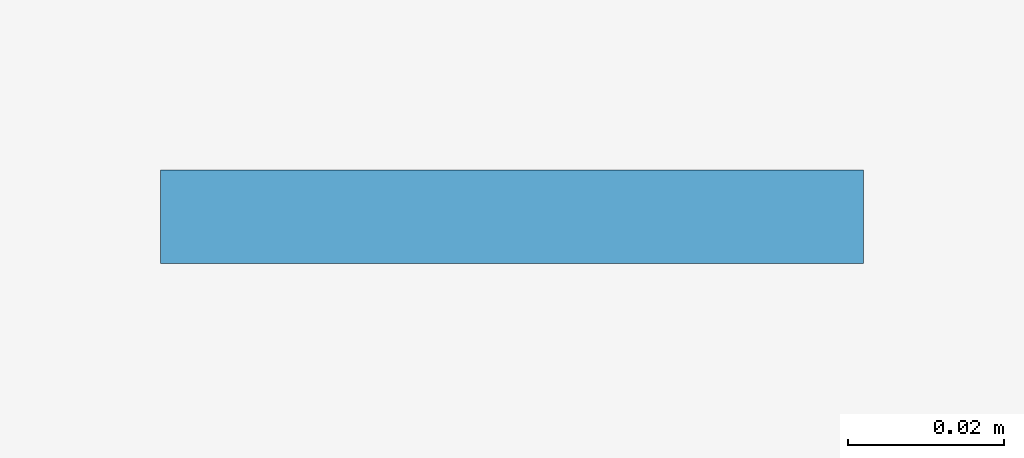
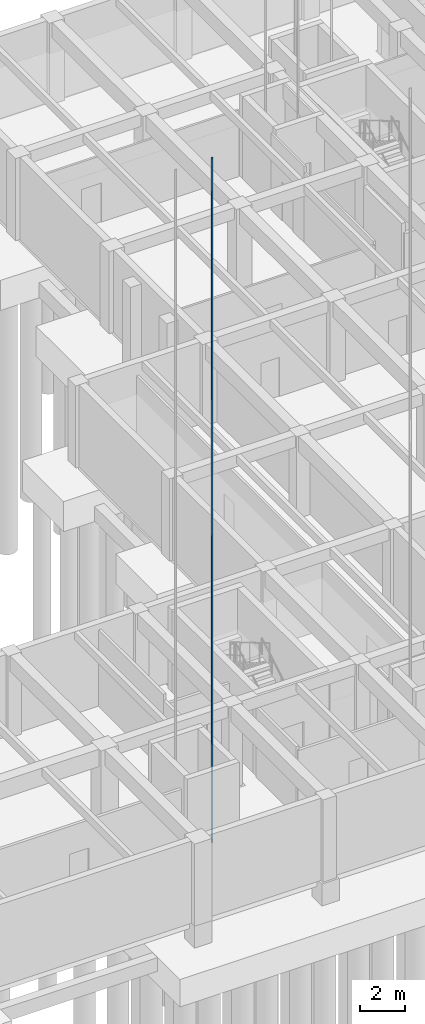
# One storey, part 16 of 44: 1 plate.
"""IFC4 building model written with IfcOpenShell, lengths in metres."""

import ifcopenshell
import ifcopenshell.guid

model = None  # the IFC model being written
_history = None  # IfcOwnerHistory: only IFC2X3 demands one
_inside = {}  # id of a spatial element -> (the spatial element, [elements in it])
_under = {}  # id of a project, library or spatial element -> (it, [spatial elements below it])
_declared = {}  # id of a project -> (the project, [libraries it declares])
_typed = {}  # id of a type object -> (the type object, [elements of that type])
_made_of = {}  # id of a material, layer set ... -> (it, [elements and type objects made of it])


def new_model(schema):
    """Start an empty IFC model of exactly this schema.

    Asked for "IFC4X3", IfcOpenShell would pick the latest addendum, in which some entities
    have other attributes; the version numbers below select the first issue.
    IFC2X3 requires an IfcOwnerHistory on every rooted entity: one is made here for all.
    """
    global model, _history
    if schema == "IFC4X3":
        model = ifcopenshell.file(schema_version=(4, 3, 0, 0))
    else:
        model = ifcopenshell.file(schema=schema)
    _inside.clear()
    _under.clear()
    _declared.clear()
    _typed.clear()
    _made_of.clear()
    _history = None
    if model.schema == "IFC2X3":
        org = make("IfcOrganization", Name="unknown")
        user = make(
            "IfcPersonAndOrganization",
            ThePerson=make("IfcPerson", FamilyName="unknown"),
            TheOrganization=org,
        )
        app = make(
            "IfcApplication",
            ApplicationDeveloper=org,
            Version="unknown",
            ApplicationFullName="unknown",
            ApplicationIdentifier="unknown",
        )
        _history = make(
            "IfcOwnerHistory",
            OwningUser=user,
            OwningApplication=app,
            ChangeAction="ADDED",
            CreationDate=0,
        )
    return model


def make(cls, **values):
    """One entity of the class cls with the attributes given. An attribute that is None is left unset."""
    return model.create_entity(
        cls, **{name: value for name, value in values.items() if value is not None}
    )


def rooted(cls, **values):
    """An entity with a GlobalId (a new one), such as an element, a storey or a relation."""
    return make(cls, GlobalId=ifcopenshell.guid.new(), OwnerHistory=_history, **values)


def si_unit(unit_type, name, prefix=None):
    """IfcSIUnit, for example si_unit("LENGTHUNIT", "METRE", prefix="MILLI")."""
    return make("IfcSIUnit", UnitType=unit_type, Prefix=prefix, Name=name)


def assignment(units):
    """IfcUnitAssignment: the units of a project."""
    return None if units is None else make("IfcUnitAssignment", Units=units)


def point(xyz):
    """IfcCartesianPoint."""
    return None if xyz is None else make("IfcCartesianPoint", Coordinates=xyz)


def direction(xyz):
    """IfcDirection."""
    return None if xyz is None else make("IfcDirection", DirectionRatios=xyz)


def frame(location, z_axis=None, x_axis=None):
    """IfcAxis2Placement3D, a coordinate frame: its origin and axes. An axis left out is left unset."""
    return make(
        "IfcAxis2Placement3D",
        Location=point(location),
        Axis=direction(z_axis),
        RefDirection=direction(x_axis),
    )


def frame_2d(location, x_axis=None):
    """IfcAxis2Placement2D, a coordinate frame in the plane: its origin and x axis."""
    return make(
        "IfcAxis2Placement2D", Location=point(location), RefDirection=direction(x_axis)
    )


def origin():
    """The frame at (0, 0, 0) with its axes left unset."""
    return frame((0.0, 0.0, 0.0))


def origin_2d():
    """The frame at (0, 0) in the plane with its x axis left unset."""
    return frame_2d((0.0, 0.0))


def place(relative_to, where):
    """IfcLocalPlacement: puts the frame where relative to a parent placement (None: the world)."""
    return make(
        "IfcLocalPlacement", PlacementRelTo=relative_to, RelativePlacement=where
    )


def context(
    kind, dimensions, precision=None, world=None, true_north=None, identifier=None
):
    """IfcGeometricRepresentationContext, for example the 3D "Model" context."""
    return make(
        "IfcGeometricRepresentationContext",
        ContextIdentifier=identifier,
        ContextType=kind,
        CoordinateSpaceDimension=dimensions,
        Precision=precision,
        WorldCoordinateSystem=world,
        TrueNorth=true_north,
    )


def subcontext(parent, identifier, kind, view, scale=None):
    """IfcGeometricRepresentationSubContext, for example "Body" below "Model"."""
    return make(
        "IfcGeometricRepresentationSubContext",
        ContextIdentifier=identifier,
        ContextType=kind,
        ParentContext=parent,
        TargetScale=scale,
        TargetView=view,
    )


def project(units=None, contexts=None):
    """IfcProject with its units and contexts."""
    return rooted(
        "IfcProject",
        Name="project",
        RepresentationContexts=contexts,
        UnitsInContext=assignment(units),
    )


def spatial(cls, under=None, at=None, **own):
    """A site, building, storey or space (cls), placed at a placement, below another one or the project."""
    s = rooted(cls, ObjectPlacement=at, **own)
    if under is not None:
        _under.setdefault(under.id(), (under, []))[1].append(s)
    return s


def profile(cls, at=None, kind="AREA", **sizes):
    """A parametric profile (cls). Its sizes go by their IFC names, for example OverallWidth=200.0."""
    return make(cls, ProfileType=kind, Position=at, **sizes)


def rectangle(**sizes):
    """IfcRectangleProfileDef."""
    return profile("IfcRectangleProfileDef", **sizes)


def extrude(swept, where, along, depth):
    """IfcExtrudedAreaSolid: the profile swept, set in the frame where, extruded along a direction by depth."""
    return make(
        "IfcExtrudedAreaSolid",
        SweptArea=swept,
        Position=where,
        ExtrudedDirection=direction(along),
        Depth=depth,
    )


def shape(context_of_items, identifier, shape_type, items):
    """IfcShapeRepresentation: the items that make up one representation, for example the "Body"."""
    return make(
        "IfcShapeRepresentation",
        ContextOfItems=context_of_items,
        RepresentationIdentifier=identifier,
        RepresentationType=shape_type,
        Items=items,
    )


def material(Name=None, Category=None):
    """IfcMaterial."""
    return make("IfcMaterial", Name=Name, Category=Category)


def layer(
    of_material, thickness, ventilated=None, Name=None, Category=None, Priority=None
):
    """IfcMaterialLayer: one layer of a wall or slab, of a material (None: an air gap)."""
    return make(
        "IfcMaterialLayer",
        Material=of_material,
        LayerThickness=thickness,
        IsVentilated=ventilated,
        Name=Name,
        Category=Category,
        Priority=Priority,
    )


def layer_set(layers, Name=None):
    """IfcMaterialLayerSet."""
    return make("IfcMaterialLayerSet", MaterialLayers=layers, LayerSetName=Name)


def made_of(thing, what):
    """Note that an element or type object is made of a material, layer set ...; save() writes the relation."""
    if what is not None:
        _made_of.setdefault(what.id(), (what, []))[1].append(thing)
    return thing


def type_object(cls, material=None, **own):
    """A type object (cls), such as IfcWallType, which elements share."""
    return made_of(rooted(cls, **own), material)


def element(
    cls,
    number,
    at=None,
    inside=None,
    cuts=None,
    type_object=None,
    material=None,
    context=None,
    identifier="Body",
    shape_type=None,
    held_by="IfcProductDefinitionShape",
    body=None,
    shapes=None,
    **own,
):
    """One element of the class cls, such as IfcWall. Its Tag is "e" and its number.

    at: its placement. inside: the storey or other place that contains it. cuts: it is an
    opening in that element (IfcRelVoidsElement). A single representation is given by context,
    identifier, shape_type and body (its items); several are given by shapes. held_by: the class
    of the entity that holds the representations. save() writes the other relations.
    """
    e = rooted(cls, Tag="e%d" % number, ObjectPlacement=at, **own)
    if body is not None:
        shapes = [shape(context, identifier, shape_type, body)]
    if shapes is not None:
        e.Representation = make(held_by, Representations=shapes)
    if inside is not None:
        _inside.setdefault(inside.id(), (inside, []))[1].append(e)
    if cuts is not None:
        rooted(
            "IfcRelVoidsElement", RelatingBuildingElement=cuts, RelatedOpeningElement=e
        )
    if type_object is not None:
        _typed.setdefault(type_object.id(), (type_object, []))[1].append(e)
    return made_of(e, material)


def aggregate(whole, parts):
    """IfcRelAggregates: a whole, such as a stair, and the parts it consists of."""
    return rooted("IfcRelAggregates", RelatingObject=whole, RelatedObjects=parts)


def save(model, path):
    """Write the relations noted so far, then the file.

    IfcRelAggregates (storeys below a building ...), IfcRelContainedInSpatialStructure (elements
    in a storey), IfcRelDefinesByType, IfcRelAssociatesMaterial and IfcRelDeclares: one each for
    every whole, place, type object, material and project.
    """
    for whole, parts in _under.values():
        aggregate(whole, parts)
    for where, things in _inside.values():
        rooted(
            "IfcRelContainedInSpatialStructure",
            RelatedElements=things,
            RelatingStructure=where,
        )
    for kind, things in _typed.values():
        rooted("IfcRelDefinesByType", RelatedObjects=things, RelatingType=kind)
    for what, things in _made_of.values():
        rooted("IfcRelAssociatesMaterial", RelatedObjects=things, RelatingMaterial=what)
    for by, libraries in _declared.values():
        rooted("IfcRelDeclares", RelatingContext=by, RelatedDefinitions=libraries)
    model.write(path)


model = new_model("IFC4")

# Units and contexts
model_context = context("Model", 3, precision=1e-05, world=origin(), true_north=direction((0.0, 1.0)))
body_context = subcontext(model_context, "Body", "Model", "MODEL_VIEW")
ifc_project = project(units=[si_unit("LENGTHUNIT", "METRE"), si_unit("AREAUNIT", "SQUARE_METRE"), si_unit("VOLUMEUNIT", "CUBIC_METRE"), si_unit("PLANEANGLEUNIT", "RADIAN"), si_unit("MASSUNIT", "GRAM", prefix="KILO")], contexts=[model_context])

# Site, building, storey
site_placement = place(None, origin())
site = spatial("IfcSite", under=ifc_project, at=site_placement, CompositionType="ELEMENT")
building_placement = place(site_placement, origin())
building = spatial("IfcBuilding", under=site, at=building_placement, Name="Kolvaren Faculty of Natural Sciences", CompositionType="ELEMENT")
storey_placement = place(building_placement, frame((0.0, 0.0, -4.5)))
storey = spatial("IfcBuildingStorey", under=building, at=storey_placement, Name="B01", CompositionType="ELEMENT", Elevation=-4.5)

# Plate
ifc_material = material(Name="Structural steel EN 10025-2 S355J2", Category="steel")
ifc_layer = layer(ifc_material, 0.011962890625)
ifc_layer_set = layer_set([ifc_layer], Name="Structural steel EN 10025-2 S355J2")
plate_type = type_object("IfcPlateType", Name="LiftGuideRail_T89", PredefinedType="USERDEFINED", material=ifc_layer_set)
plate_placement = place(storey_placement, frame((123.090087890625, 31.25, -0.820068359375), z_axis=(0.0, 0.0, 1.0), x_axis=(1.0, 0.0, 0.0)))
element("IfcPlate", 1, at=plate_placement, inside=storey, type_object=plate_type, Name="Lift GL-1 steel guide rail 2", ObjectType="GUIDE RAIL", PredefinedType="USERDEFINED", context=body_context, shape_type="SweptSolid", body=[
    extrude(rectangle(XDim=0.090087890625, YDim=0.011962890625, at=origin_2d()), origin(), (0.0, 0.0, 1.0), 37.52001953125),
])

save(model, "model.ifc")
